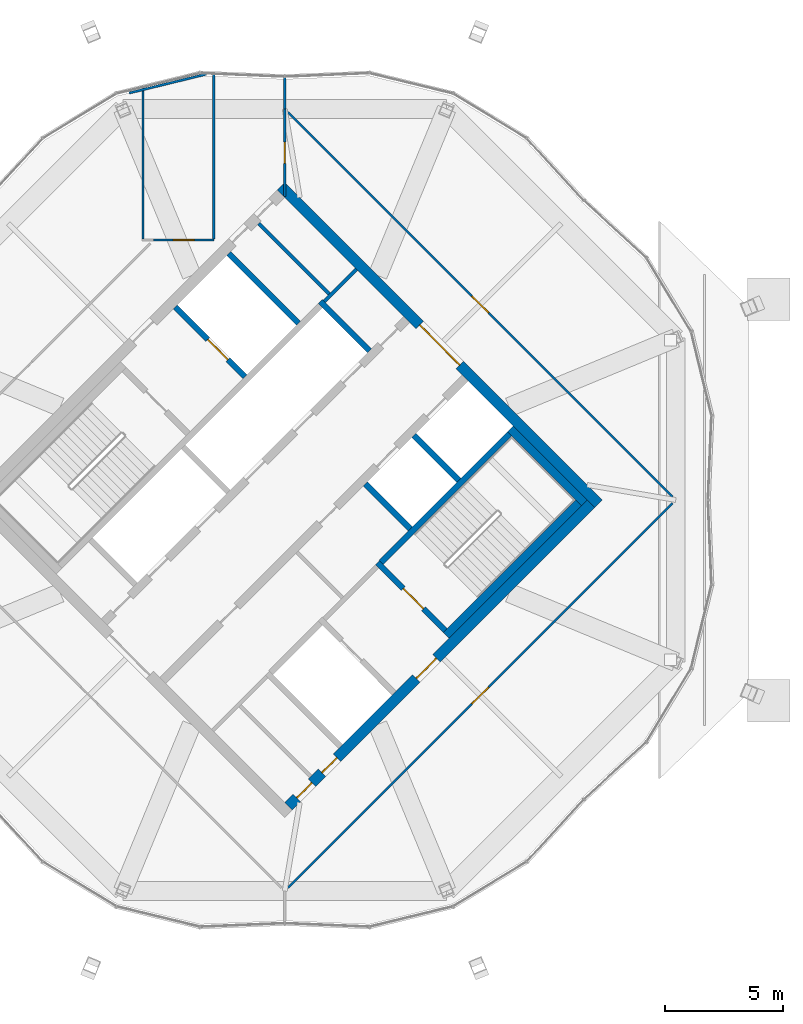
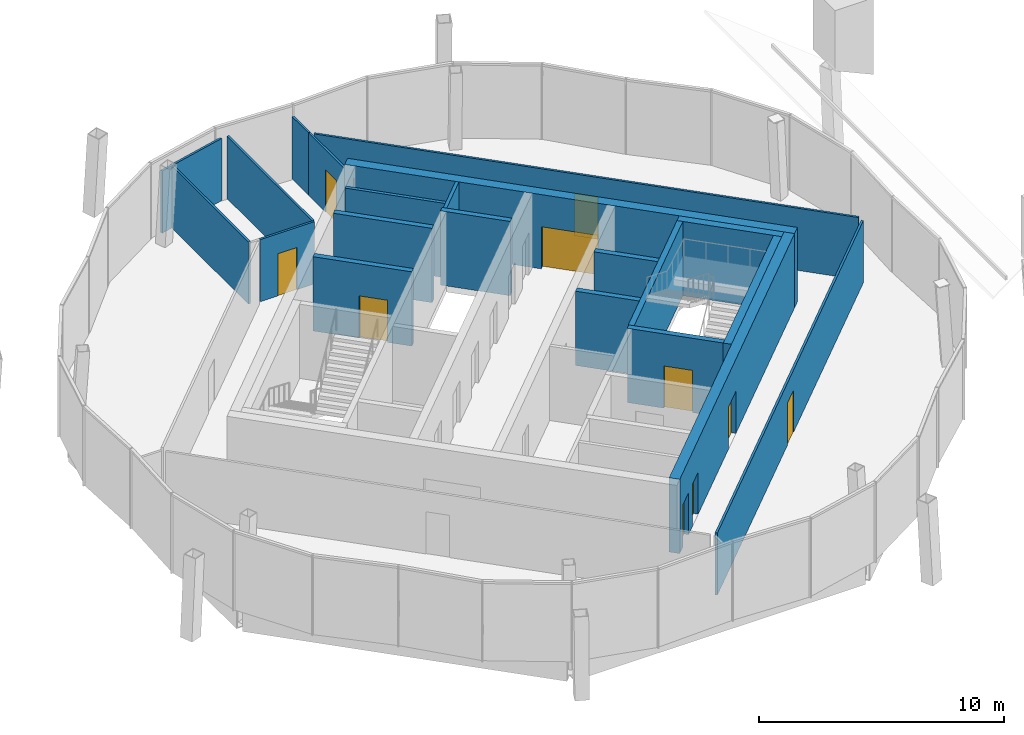
# One storey, part 19 of 22: 21 walls, 10 doors, 10 openings.
"""IFC4 building model written with IfcOpenShell, lengths in metres."""

from ifc_helpers import new_model, si_unit, direction, frame, frame_2d, origin, place, context, subcontext, project, spatial, rectangle, extrude, material, layer, layer_set, type_object, element, fill, save


model = new_model("IFC4")

# Units and contexts
model_context = context("Model", 3, precision=1e-05, world=origin(), true_north=direction((0.0, 1.0)))
body_context = subcontext(model_context, "Body", "Model", "MODEL_VIEW")
ifc_project = project(units=[si_unit("LENGTHUNIT", "METRE"), si_unit("AREAUNIT", "SQUARE_METRE"), si_unit("VOLUMEUNIT", "CUBIC_METRE"), si_unit("PLANEANGLEUNIT", "RADIAN"), si_unit("MASSUNIT", "GRAM", prefix="KILO")], contexts=[model_context])

# Site, building, storey
site_placement = place(None, origin())
site = spatial("IfcSite", under=ifc_project, at=site_placement, CompositionType="ELEMENT")
building_placement = place(site_placement, origin())
building = spatial("IfcBuilding", under=site, at=building_placement, Name="Ogive Gate Towers", CompositionType="ELEMENT")
storey_placement = place(building_placement, frame((0.0, 0.0, 298.0)))
storey = spatial("IfcBuildingStorey", under=building, at=storey_placement, Name="L70", CompositionType="ELEMENT", Elevation=298.0)

# Wall, openings, doors
ifc_material_1 = material(Name="Concrete C60/75", Category="concrete")
ifc_layer_1 = layer(ifc_material_1, 0.449951171875)
ifc_layer_set_1 = layer_set([ifc_layer_1], Name="Core wall 450 mm")
wall_type_1 = type_object("IfcWallType", Name="Core wall 450 mm", PredefinedType="SHEAR", material=ifc_layer_set_1)
wall_1_placement = place(storey_placement, frame((36.1591796875, -12.957763671875, 0.0), z_axis=(0.0, 0.0, 1.0), x_axis=(0.707106781187, 0.707106781187, 0.0)))
wall_1 = element("IfcWall", 1, at=wall_1_placement, inside=storey, type_object=wall_type_1, Name="T2 L70 Core wall 450 mm", PredefinedType="SHEAR", context=body_context, shape_type="SweptSolid", body=[
    extrude(rectangle(XDim=18.099853515625, YDim=0.449951171875, at=frame_2d((9.0498046875, 0.0))), origin(), (0.0, 0.0, 1.0), 3.699951171875),
])
opening_1_placement = place(wall_1_placement, frame((7.64990234375, 0.0, 0.0)))
opening_1 = element("IfcOpeningElement", 2, at=opening_1_placement, cuts=wall_1, Name="Opening KD-T2-L70-19", PredefinedType="OPENING", context=body_context, shape_type="SweptSolid", body=[
    extrude(rectangle(XDim=1.199951171875, YDim=2.10009765625, at=frame_2d((0.60009765625, 1.050048828125))), frame((0.0, 0.23486328125, 0.0), z_axis=(0.0, -1.0, 0.0), x_axis=(1.0, 0.0, 0.0)), (0.0, 0.0, 1.0), 0.469970703125),
])
opening_2_placement = place(wall_1_placement, frame((0.5, 0.0, 0.0)))
opening_2 = element("IfcOpeningElement", 3, at=opening_2_placement, cuts=wall_1, Name="Opening KD-T2-L70-22", PredefinedType="OPENING", context=body_context, shape_type="SweptSolid", body=[
    extrude(rectangle(XDim=0.89990234375, YDim=2.10009765625, at=frame_2d((0.449951171875, 1.050048828125))), frame((0.0, 0.23486328125, 0.0), z_axis=(0.0, -1.0, 0.0), x_axis=(1.0, 0.0, 0.0)), (0.0, 0.0, 1.0), 0.469970703125),
])
opening_3_placement = place(wall_1_placement, frame((2.0, 0.0, 0.0)))
opening_3 = element("IfcOpeningElement", 4, at=opening_3_placement, cuts=wall_1, Name="Opening KD-T2-L70-23", PredefinedType="OPENING", context=body_context, shape_type="SweptSolid", body=[
    extrude(rectangle(XDim=0.89990234375, YDim=2.10009765625, at=frame_2d((0.449951171875, 1.050048828125))), frame((0.0, 0.23486328125, 0.0), z_axis=(0.0, -1.0, 0.0), x_axis=(1.0, 0.0, 0.0)), (0.0, 0.0, 1.0), 0.469970703125),
])
ifc_material_2 = material(Name="Steel fire door", Category="steel")
door_type_1 = type_object("IfcDoorType", Name="Core door FD60S 1200 x 2100", OperationType="NOTDEFINED", PredefinedType="DOOR", material=ifc_material_2)
door_1_placement = place(opening_1_placement, origin())
door_1 = element("IfcDoor", 5, at=door_1_placement, inside=storey, type_object=door_type_1, Name="T2 L70 Fire-fighting lobby door", OperationType="SINGLE_SWING_RIGHT", OverallHeight=2.10009765625, OverallWidth=1.199951171875, PredefinedType="DOOR", context=body_context, shape_type="SweptSolid", body=[
    extrude(rectangle(XDim=1.199951171875, YDim=2.10009765625, at=frame_2d((0.60009765625, 1.050048828125))), frame((0.0, 0.02490234375, 0.0), z_axis=(0.0, -1.0, 0.0), x_axis=(1.0, 0.0, 0.0)), (0.0, 0.0, 1.0), 0.050048828125),
])
fill(opening_1, door_1)
door_type_2 = type_object("IfcDoorType", Name="Core door FD60S 900 x 2100", OperationType="NOTDEFINED", PredefinedType="DOOR", material=ifc_material_2)
door_2_placement = place(opening_2_placement, origin())
door_2 = element("IfcDoor", 6, at=door_2_placement, inside=storey, type_object=door_type_2, Name="T2 L70 Core door", OperationType="SINGLE_SWING_LEFT", OverallHeight=2.10009765625, OverallWidth=0.89990234375, PredefinedType="DOOR", context=body_context, shape_type="SweptSolid", body=[
    extrude(rectangle(XDim=0.89990234375, YDim=2.10009765625, at=frame_2d((0.449951171875, 1.050048828125))), frame((0.0, 0.02490234375, 0.0), z_axis=(0.0, -1.0, 0.0), x_axis=(1.0, 0.0, 0.0)), (0.0, 0.0, 1.0), 0.050048828125),
])
fill(opening_2, door_2)
door_3_placement = place(opening_3_placement, origin())
door_3 = element("IfcDoor", 7, at=door_3_placement, inside=storey, type_object=door_type_2, Name="T2 L70 Core door", OperationType="SINGLE_SWING_RIGHT", OverallHeight=2.10009765625, OverallWidth=0.89990234375, PredefinedType="DOOR", context=body_context, shape_type="SweptSolid", body=[
    extrude(rectangle(XDim=0.89990234375, YDim=2.10009765625, at=frame_2d((0.449951171875, 1.050048828125))), frame((0.0, 0.02490234375, 0.0), z_axis=(0.0, -1.0, 0.0), x_axis=(1.0, 0.0, 0.0)), (0.0, 0.0, 1.0), 0.050048828125),
])
fill(opening_3, door_3)

# Wall, opening, door
wall_2_placement = place(storey_placement, frame((49.27587890625, -0.1591796875, 0.0), z_axis=(0.0, 0.0, 1.0), x_axis=(-0.707106781187, 0.707106781187, 0.0)))
wall_2 = element("IfcWall", 8, at=wall_2_placement, inside=storey, type_object=wall_type_1, Name="T2 L70 Core wall 450 mm", PredefinedType="SHEAR", context=body_context, shape_type="SweptSolid", body=[
    extrude(rectangle(XDim=19.0, YDim=0.449951171875, at=frame_2d((9.5, 0.0))), origin(), (0.0, 0.0, 1.0), 3.699951171875),
])
opening_4_placement = place(wall_2_placement, frame((8.300048828125, 0.0, 0.0)))
opening_4 = element("IfcOpeningElement", 9, at=opening_4_placement, cuts=wall_2, Name="Opening KD-T2-L70-02", PredefinedType="OPENING", context=body_context, shape_type="SweptSolid", body=[
    extrude(rectangle(XDim=2.39990234375, YDim=2.10009765625, at=frame_2d((1.199951171875, 1.050048828125))), frame((0.0, 0.23486328125, 0.0), z_axis=(0.0, -1.0, 0.0), x_axis=(1.0, 0.0, 0.0)), (0.0, 0.0, 1.0), 0.469970703125),
])
door_type_3 = type_object("IfcDoorType", Name="Core double door FD60S 2400 x 2100", OperationType="DOUBLE_DOOR_SINGLE_SWING", PredefinedType="DOOR", material=ifc_material_2)
door_4_placement = place(opening_4_placement, origin())
door_4 = element("IfcDoor", 10, at=door_4_placement, inside=storey, type_object=door_type_3, Name="T2 L70 Core door double", OperationType="DOUBLE_DOOR_SINGLE_SWING", OverallHeight=2.10009765625, OverallWidth=2.39990234375, PredefinedType="DOOR", context=body_context, shape_type="SweptSolid", body=[
    extrude(rectangle(XDim=2.39990234375, YDim=2.10009765625, at=frame_2d((1.199951171875, 1.050048828125))), frame((0.0, 0.02490234375, 0.0), z_axis=(0.0, -1.0, 0.0), x_axis=(1.0, 0.0, 0.0)), (0.0, 0.0, 1.0), 0.050048828125),
])
fill(opening_4, door_4)

# Walls
ifc_material_3 = material(Name="Gypsum board partition")
ifc_layer_2 = layer(ifc_material_3, 0.10009765625)
ifc_layer_set_2 = layer_set([ifc_layer_2], Name="Partition wall 100")
wall_type_2 = type_object("IfcWallType", Name="Partition wall 100", PredefinedType="PARTITIONING", material=ifc_layer_set_2)
wall_3_placement = place(storey_placement, frame((33.0, 11.050048828125, 0.0), z_axis=(0.0, 0.0, 1.0), x_axis=(0.0, 1.0, 0.0)))
element("IfcWall", 11, at=wall_3_placement, inside=storey, type_object=wall_type_2, Name="L70 partition 001", PredefinedType="PARTITIONING", context=body_context, shape_type="SweptSolid", body=[
    extrude(rectangle(XDim=6.954345703125, YDim=0.10009765625, at=frame_2d((3.47705078125, 0.0))), origin(), (0.0, 0.0, 1.0), 3.10009765625),
])
wall_4_placement = place(storey_placement, frame((30.0, 11.050048828125, 0.0), z_axis=(0.0, 0.0, 1.0), x_axis=(0.0, 1.0, 0.0)))
element("IfcWall", 12, at=wall_4_placement, inside=storey, type_object=wall_type_2, Name="L70 partition 003", PredefinedType="PARTITIONING", context=body_context, shape_type="SweptSolid", body=[
    extrude(rectangle(XDim=6.387451171875, YDim=0.10009765625, at=frame_2d((3.19384765625, 0.0))), origin(), (0.0, 0.0, 1.0), 3.10009765625),
])
wall_5_placement = place(storey_placement, frame((29.4169921875, 17.22119140625, 0.0), z_axis=(0.0, 0.0, 1.0), x_axis=(0.971474208612, 0.237145233987, 0.0)))
element("IfcWall", 13, at=wall_5_placement, inside=storey, type_object=wall_type_2, Name="L70 partition 004", PredefinedType="PARTITIONING", context=body_context, shape_type="SweptSolid", body=[
    extrude(rectangle(XDim=3.359375, YDim=0.10009765625, at=frame_2d((1.6796875, 0.0))), origin(), (0.0, 0.0, 1.0), 3.10009765625),
])

# Wall, opening, door
wall_6_placement = place(storey_placement, frame((30.45361328125, 11.0, 0.0), z_axis=(0.0, 0.0, 1.0), x_axis=(1.0, 0.0, 0.0)))
wall_6 = element("IfcWall", 14, at=wall_6_placement, inside=storey, type_object=wall_type_2, Name="L70 partition 005", PredefinedType="PARTITIONING", context=body_context, shape_type="SweptSolid", body=[
    extrude(rectangle(XDim=2.54638671875, YDim=0.10009765625, at=frame_2d((1.273193359375, 0.0))), origin(), (0.0, 0.0, 1.0), 3.10009765625),
])
opening_5_placement = place(wall_6_placement, frame((0.822998046875, 0.0, 0.0)))
opening_5 = element("IfcOpeningElement", 15, at=opening_5_placement, cuts=wall_6, Name="Opening PO324", PredefinedType="OPENING", context=body_context, shape_type="SweptSolid", body=[
    extrude(rectangle(XDim=0.89990234375, YDim=2.10009765625, at=frame_2d((0.449951171875, 1.050048828125))), frame((0.0, 0.06005859375, 0.0), z_axis=(0.0, -1.0, 0.0), x_axis=(1.0, 0.0, 0.0)), (0.0, 0.0, 1.0), 0.1201171875),
])
ifc_material_4 = material(Name="Timber door", Category="wood")
door_type_4 = type_object("IfcDoorType", Name="Door 900 x 2100", OperationType="NOTDEFINED", PredefinedType="DOOR", material=ifc_material_4)
door_5_placement = place(opening_5_placement, origin())
door_5 = element("IfcDoor", 16, at=door_5_placement, inside=storey, type_object=door_type_4, Name="Door PO324", OperationType="SINGLE_SWING_RIGHT", OverallHeight=2.10009765625, OverallWidth=0.89990234375, PredefinedType="DOOR", context=body_context, shape_type="SweptSolid", body=[
    extrude(rectangle(XDim=0.89990234375, YDim=2.10009765625, at=frame_2d((0.449951171875, 1.050048828125))), frame((0.0, 0.02490234375, 0.0), z_axis=(0.0, -1.0, 0.0), x_axis=(1.0, 0.0, 0.0)), (0.0, 0.0, 1.0), 0.050048828125),
])
fill(opening_5, door_5)

# Wall
wall_7_placement = place(storey_placement, frame((36.0, 16.54638671875, 0.0), z_axis=(0.0, 0.0, 1.0), x_axis=(0.0, 1.0, 0.0)))
element("IfcWall", 17, at=wall_7_placement, inside=storey, type_object=wall_type_2, Name="L70 partition 006", PredefinedType="PARTITIONING", context=body_context, shape_type="SweptSolid", body=[
    extrude(rectangle(XDim=1.333740234375, YDim=0.10009765625, at=frame_2d((0.6669921875, 0.0))), origin(), (0.0, 0.0, 1.0), 3.10009765625),
])

# Wall, opening, door
wall_8_placement = place(storey_placement, frame((36.0, 12.8349609375, 0.0), z_axis=(0.0, 0.0, 1.0), x_axis=(0.0, 1.0, 0.0)))
wall_8 = element("IfcWall", 18, at=wall_8_placement, inside=storey, type_object=wall_type_2, Name="L70 partition 008", PredefinedType="PARTITIONING", context=body_context, shape_type="SweptSolid", body=[
    extrude(rectangle(XDim=3.71142578125, YDim=0.10009765625, at=frame_2d((1.855712890625, 0.0))), origin(), (0.0, 0.0, 1.0), 3.10009765625),
])
opening_6_placement = place(wall_8_placement, frame((1.405517578125, 0.0, 0.0)))
opening_6 = element("IfcOpeningElement", 19, at=opening_6_placement, cuts=wall_8, Name="Opening PO325", PredefinedType="OPENING", context=body_context, shape_type="SweptSolid", body=[
    extrude(rectangle(XDim=0.89990234375, YDim=2.10009765625, at=frame_2d((0.449951171875, 1.050048828125))), frame((0.0, 0.06005859375, 0.0), z_axis=(0.0, -1.0, 0.0), x_axis=(1.0, 0.0, 0.0)), (0.0, 0.0, 1.0), 0.1201171875),
])
door_6_placement = place(opening_6_placement, origin())
door_6 = element("IfcDoor", 20, at=door_6_placement, inside=storey, type_object=door_type_4, Name="Door PO325", OperationType="SINGLE_SWING_LEFT", OverallHeight=2.10009765625, OverallWidth=0.89990234375, PredefinedType="DOOR", context=body_context, shape_type="SweptSolid", body=[
    extrude(rectangle(XDim=0.89990234375, YDim=2.10009765625, at=frame_2d((0.449951171875, 1.050048828125))), frame((0.0, 0.02490234375, 0.0), z_axis=(0.0, -1.0, 0.0), x_axis=(1.0, 0.0, 0.0)), (0.0, 0.0, 1.0), 0.050048828125),
])
fill(opening_6, door_6)

wall_9_placement = place(storey_placement, frame((52.40478515625, 0.141357421875, 0.0), z_axis=(0.0, 0.0, 1.0), x_axis=(-0.707106781187, 0.707106781187, 0.0)))
wall_9 = element("IfcWall", 21, at=wall_9_placement, inside=storey, type_object=wall_type_2, Name="L70 partition 009", PredefinedType="PARTITIONING", context=body_context, shape_type="SweptSolid", body=[
    extrude(rectangle(XDim=23.0, YDim=0.10009765625, at=frame_2d((11.5, 0.0))), origin(), (0.0, 0.0, 1.0), 3.10009765625),
])
opening_7_placement = place(wall_9_placement, frame((11.0, 0.0, 0.0)))
opening_7 = element("IfcOpeningElement", 22, at=opening_7_placement, cuts=wall_9, Name="Opening PO326", PredefinedType="OPENING", context=body_context, shape_type="SweptSolid", body=[
    extrude(rectangle(XDim=1.0, YDim=2.10009765625, at=frame_2d((0.5, 1.050048828125))), frame((0.0, 0.06005859375, 0.0), z_axis=(0.0, -1.0, 0.0), x_axis=(1.0, 0.0, 0.0)), (0.0, 0.0, 1.0), 0.1201171875),
])
door_type_5 = type_object("IfcDoorType", Name="Door 1000 x 2100", OperationType="NOTDEFINED", PredefinedType="DOOR", material=ifc_material_4)
door_7_placement = place(opening_7_placement, origin())
door_7 = element("IfcDoor", 23, at=door_7_placement, inside=storey, type_object=door_type_5, Name="Door PO326", OperationType="SINGLE_SWING_RIGHT", OverallHeight=2.10009765625, OverallWidth=1.0, PredefinedType="DOOR", context=body_context, shape_type="SweptSolid", body=[
    extrude(rectangle(XDim=1.0, YDim=2.10009765625, at=frame_2d((0.5, 1.050048828125))), frame((0.0, 0.02490234375, 0.0), z_axis=(0.0, -1.0, 0.0), x_axis=(1.0, 0.0, 0.0)), (0.0, 0.0, 1.0), 0.050048828125),
])
fill(opening_7, door_7)

wall_10_placement = place(storey_placement, frame((36.141357421875, -16.40478515625, 0.0), z_axis=(0.0, 0.0, 1.0), x_axis=(0.707106781187, 0.707106781187, 0.0)))
wall_10 = element("IfcWall", 24, at=wall_10_placement, inside=storey, type_object=wall_type_2, Name="L70 partition 014", PredefinedType="PARTITIONING", context=body_context, shape_type="SweptSolid", body=[
    extrude(rectangle(XDim=23.0, YDim=0.10009765625, at=frame_2d((11.5, 0.0))), origin(), (0.0, 0.0, 1.0), 3.10009765625),
])
opening_8_placement = place(wall_10_placement, frame((11.0, 0.0, 0.0)))
opening_8 = element("IfcOpeningElement", 25, at=opening_8_placement, cuts=wall_10, Name="Opening PO329", PredefinedType="OPENING", context=body_context, shape_type="SweptSolid", body=[
    extrude(rectangle(XDim=1.0, YDim=2.10009765625, at=frame_2d((0.5, 1.050048828125))), frame((0.0, 0.06005859375, 0.0), z_axis=(0.0, -1.0, 0.0), x_axis=(1.0, 0.0, 0.0)), (0.0, 0.0, 1.0), 0.1201171875),
])
door_8_placement = place(opening_8_placement, origin())
door_8 = element("IfcDoor", 26, at=door_8_placement, inside=storey, type_object=door_type_5, Name="Door PO329", OperationType="SINGLE_SWING_LEFT", OverallHeight=2.10009765625, OverallWidth=1.0, PredefinedType="DOOR", context=body_context, shape_type="SweptSolid", body=[
    extrude(rectangle(XDim=1.0, YDim=2.10009765625, at=frame_2d((0.5, 1.050048828125))), frame((0.0, 0.02490234375, 0.0), z_axis=(0.0, -1.0, 0.0), x_axis=(1.0, 0.0, 0.0)), (0.0, 0.0, 1.0), 0.050048828125),
])
fill(opening_8, door_8)

# Walls
ifc_layer_3 = layer(ifc_material_3, 0.14990234375)
ifc_layer_set_3 = layer_set([ifc_layer_3], Name="Room partition 150 mm")
wall_type_3 = type_object("IfcWallType", Name="Room partition 150 mm", PredefinedType="PARTITIONING", material=ifc_layer_set_3)
wall_11_placement = place(storey_placement, frame((37.679443359375, 8.39697265625, 0.0), z_axis=(0.0, 0.0, 1.0), x_axis=(0.707106781187, 0.707106781187, 0.0)))
element("IfcWall", 27, at=wall_11_placement, inside=storey, type_object=wall_type_3, Name="T2 L70 Room partition 150 mm", PredefinedType="PARTITIONING", context=body_context, shape_type="SweptSolid", body=[
    extrude(rectangle(XDim=1.9248046875, YDim=0.14990234375, at=frame_2d((0.96240234375, 0.0))), origin(), (0.0, 0.0, 1.0), 3.699951171875),
])
wall_12_placement = place(storey_placement, frame((37.8916015625, 8.715087890625, 0.0), z_axis=(0.0, 0.0, 1.0), x_axis=(-0.707106781187, 0.707106781187, 0.0)))
element("IfcWall", 28, at=wall_12_placement, inside=storey, type_object=wall_type_3, Name="T2 L70 Room partition 150 mm", PredefinedType="PARTITIONING", context=body_context, shape_type="SweptSolid", body=[
    extrude(rectangle(XDim=4.22509765625, YDim=0.14990234375, at=frame_2d((2.112548828125, 0.0))), origin(), (0.0, 0.0, 1.0), 3.699951171875),
])
ifc_layer_4 = layer(ifc_material_1, 0.25)
ifc_layer_set_4 = layer_set([ifc_layer_4], Name="Shaft wall 250 mm")
wall_type_4 = type_object("IfcWallType", Name="Shaft wall 250 mm", PredefinedType="SHEAR", material=ifc_layer_set_4)
wall_13_placement = place(storey_placement, frame((40.08349609375, -2.634033203125, 0.0), z_axis=(0.0, 0.0, 1.0), x_axis=(0.707090876314, 0.707122685701, 0.0)))
element("IfcWall", 29, at=wall_13_placement, inside=storey, type_object=wall_type_4, Name="T2 L70 Shaft wall 250 mm", PredefinedType="SHEAR", context=body_context, shape_type="SweptSolid", body=[
    extrude(rectangle(XDim=7.675048828125, YDim=0.25, at=frame_2d((3.83740234375, 0.0))), origin(), (0.0, 0.0, 1.0), 3.699951171875),
])

# Wall, opening, door
wall_14_placement = place(storey_placement, frame((42.7880859375, -5.515380859375, 0.0), z_axis=(0.0, 0.0, 1.0), x_axis=(-0.707106781187, 0.707106781187, 0.0)))
wall_14 = element("IfcWall", 30, at=wall_14_placement, inside=storey, type_object=wall_type_4, Name="T2 L70 Shaft wall 250 mm", PredefinedType="SHEAR", context=body_context, shape_type="SweptSolid", body=[
    extrude(rectangle(XDim=4.050048828125, YDim=0.25, at=frame_2d((2.02490234375, 0.0))), origin(), (0.0, 0.0, 1.0), 3.699951171875),
])
opening_9_placement = place(wall_14_placement, frame((1.300048828125, 0.0, 0.0)))
opening_9 = element("IfcOpeningElement", 31, at=opening_9_placement, cuts=wall_14, Name="Opening KD-T2-L70-17", PredefinedType="OPENING", context=body_context, shape_type="SweptSolid", body=[
    extrude(rectangle(XDim=1.199951171875, YDim=2.10009765625, at=frame_2d((0.60009765625, 1.050048828125))), frame((0.0, 0.135009765625, 0.0), z_axis=(0.0, -1.0, 0.0), x_axis=(1.0, 0.0, 0.0)), (0.0, 0.0, 1.0), 0.27001953125),
])
door_9_placement = place(opening_9_placement, origin())
door_9 = element("IfcDoor", 32, at=door_9_placement, inside=storey, type_object=door_type_1, Name="T2 L70 Stair door", OperationType="SINGLE_SWING_RIGHT", OverallHeight=2.10009765625, OverallWidth=1.199951171875, PredefinedType="DOOR", context=body_context, shape_type="SweptSolid", body=[
    extrude(rectangle(XDim=1.199951171875, YDim=2.10009765625, at=frame_2d((0.60009765625, 1.050048828125))), frame((0.0, 0.02490234375, 0.0), z_axis=(0.0, -1.0, 0.0), x_axis=(1.0, 0.0, 0.0)), (0.0, 0.0, 1.0), 0.050048828125),
])
fill(opening_9, door_9)

wall_15_placement = place(storey_placement, frame((34.320556640625, 5.21484375, 0.0), z_axis=(0.0, 0.0, 1.0), x_axis=(-0.707106781187, 0.707106781187, 0.0)))
wall_15 = element("IfcWall", 33, at=wall_15_placement, inside=storey, type_object=wall_type_4, Name="T2 L70 Shaft wall 250 mm", PredefinedType="SHEAR", context=body_context, shape_type="SweptSolid", body=[
    extrude(rectangle(XDim=4.175048828125, YDim=0.25, at=frame_2d((2.08740234375, 0.0))), origin(), (0.0, 0.0, 1.0), 3.699951171875),
])
opening_10_placement = place(wall_15_placement, frame((1.02490234375, 0.0, 0.0)))
opening_10 = element("IfcOpeningElement", 34, at=opening_10_placement, cuts=wall_15, Name="Opening LD-T2-L70-12", PredefinedType="OPENING", context=body_context, shape_type="SweptSolid", body=[
    extrude(rectangle(XDim=1.199951171875, YDim=2.10009765625, at=frame_2d((0.60009765625, 1.050048828125))), frame((0.0, 0.135009765625, 0.0), z_axis=(0.0, -1.0, 0.0), x_axis=(1.0, 0.0, 0.0)), (0.0, 0.0, 1.0), 0.27001953125),
])
ifc_material_5 = material(Name="Stainless steel landing door", Category="steel")
door_type_6 = type_object("IfcDoorType", Name="Landing door 1200 x 2100", OperationType="SLIDING_TO_LEFT", PredefinedType="DOOR", material=ifc_material_5)
door_10_placement = place(opening_10_placement, origin())
door_10 = element("IfcDoor", 35, at=door_10_placement, inside=storey, type_object=door_type_6, Name="T2 L70 Lift landing door FF1", OperationType="SLIDING_TO_LEFT", OverallHeight=2.10009765625, OverallWidth=1.199951171875, PredefinedType="DOOR", context=body_context, shape_type="SweptSolid", body=[
    extrude(rectangle(XDim=1.199951171875, YDim=2.10009765625, at=frame_2d((0.60009765625, 1.050048828125))), frame((0.0, 0.02490234375, 0.0), z_axis=(0.0, -1.0, 0.0), x_axis=(1.0, 0.0, 0.0)), (0.0, 0.0, 1.0), 0.050048828125),
])
fill(opening_10, door_10)

# Walls
wall_16_placement = place(storey_placement, frame((41.321044921875, -1.2197265625, 0.0), z_axis=(0.0, 0.0, 1.0), x_axis=(-0.707106781187, 0.707106781187, 0.0)))
element("IfcWall", 36, at=wall_16_placement, inside=storey, type_object=wall_type_4, Name="T2 L70 Shaft wall 250 mm", PredefinedType="SHEAR", context=body_context, shape_type="SweptSolid", body=[
    extrude(rectangle(XDim=2.699951171875, YDim=0.25, at=frame_2d((1.35009765625, 0.0))), origin(), (0.0, 0.0, 1.0), 3.699951171875),
])
wall_17_placement = place(storey_placement, frame((36.58349609375, 7.477783203125, 0.0), z_axis=(0.0, 0.0, 1.0), x_axis=(-0.707165256008, 0.707048301529, 0.0)))
element("IfcWall", 37, at=wall_17_placement, inside=storey, type_object=wall_type_4, Name="T2 L70 Shaft wall 250 mm", PredefinedType="SHEAR", context=body_context, shape_type="SweptSolid", body=[
    extrude(rectangle(XDim=4.175048828125, YDim=0.25, at=frame_2d((2.08740234375, 0.0))), origin(), (0.0, 0.0, 1.0), 3.699951171875),
])
wall_18_placement = place(storey_placement, frame((43.37158203125, 0.830810546875, 0.0), z_axis=(0.0, 0.0, 1.0), x_axis=(-0.707106781187, 0.707106781187, 0.0)))
element("IfcWall", 38, at=wall_18_placement, inside=storey, type_object=wall_type_4, Name="T2 L70 Shaft wall 250 mm", PredefinedType="SHEAR", context=body_context, shape_type="SweptSolid", body=[
    extrude(rectangle(XDim=2.699951171875, YDim=0.25, at=frame_2d((1.35009765625, 0.0))), origin(), (0.0, 0.0, 1.0), 3.699951171875),
])
wall_19_placement = place(storey_placement, frame((39.588623046875, 6.310791015625, 0.0), z_axis=(0.0, 0.0, 1.0), x_axis=(-0.707065402085, 0.707148157867, 0.0)))
element("IfcWall", 39, at=wall_19_placement, inside=storey, type_object=wall_type_4, Name="T2 L70 Shaft wall 250 mm", PredefinedType="SHEAR", context=body_context, shape_type="SweptSolid", body=[
    extrude(rectangle(XDim=2.9501953125, YDim=0.25, at=frame_2d((1.47509765625, 0.0))), origin(), (0.0, 0.0, 1.0), 3.699951171875),
])
ifc_layer_5 = layer(ifc_material_1, 0.35009765625)
ifc_layer_set_5 = layer_set([ifc_layer_5], Name="Stair wall 350 mm")
wall_type_5 = type_object("IfcWallType", Name="Stair wall 350 mm", PredefinedType="SHEAR", material=ifc_layer_set_5)
wall_20_placement = place(storey_placement, frame((42.823486328125, -5.7275390625, 0.0), z_axis=(0.0, 0.0, 1.0), x_axis=(0.707122184046, 0.707091377991, 0.0)))
element("IfcWall", 40, at=wall_20_placement, inside=storey, type_object=wall_type_5, Name="T2 L70 Stair wall 350 mm", PredefinedType="SHEAR", context=body_context, shape_type="SweptSolid", body=[
    extrude(rectangle(XDim=7.925048828125, YDim=0.35009765625, at=frame_2d((3.96240234375, 0.0))), origin(), (0.0, 0.0, 1.0), 3.699951171875),
])
wall_21_placement = place(storey_placement, frame((48.6748046875, -0.123779296875, 0.0), z_axis=(0.0, 0.0, 1.0), x_axis=(-0.707106781187, 0.707106781187, 0.0)))
element("IfcWall", 41, at=wall_21_placement, inside=storey, type_object=wall_type_5, Name="T2 L70 Stair wall 350 mm", PredefinedType="SHEAR", context=body_context, shape_type="SweptSolid", body=[
    extrude(rectangle(XDim=4.425048828125, YDim=0.35009765625, at=frame_2d((2.21240234375, 0.0))), origin(), (0.0, 0.0, 1.0), 3.699951171875),
])

save(model, "model.ifc")
